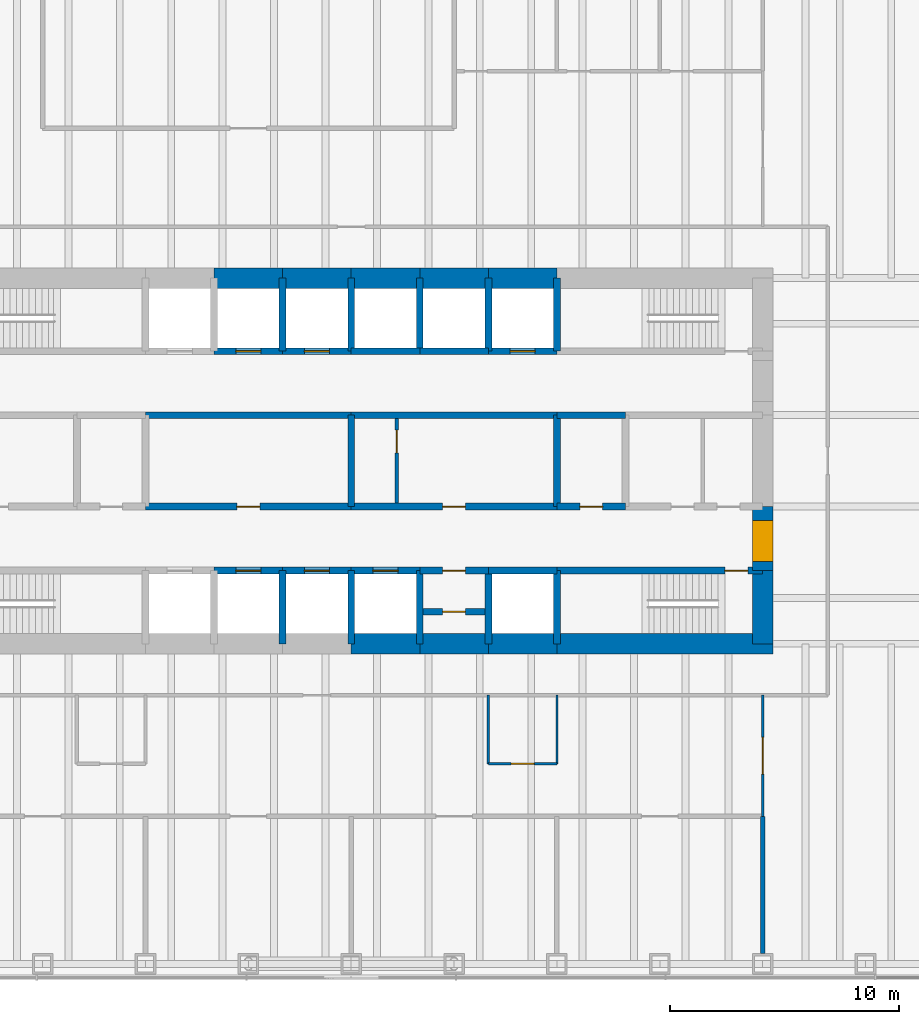
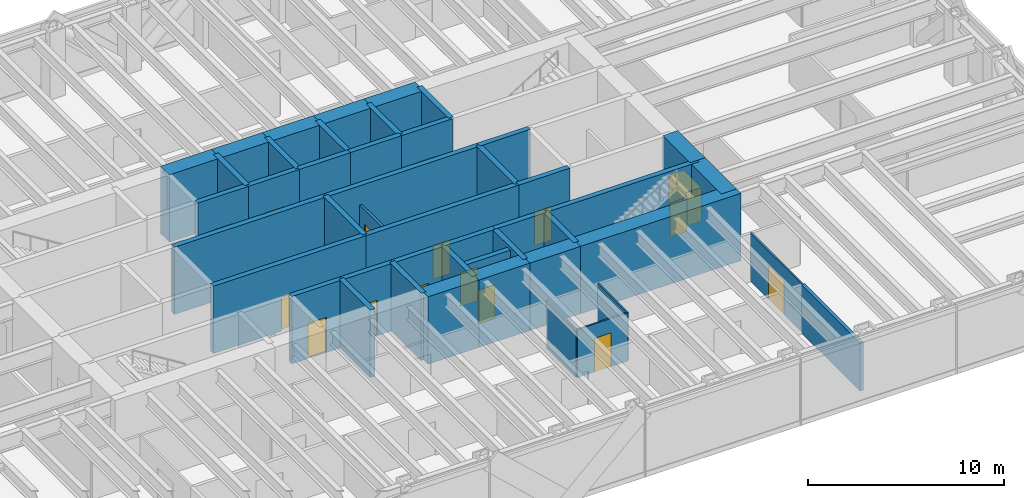
# One storey, part 12 of 15: 47 walls, 16 doors, 16 openings.
"""IFC4 building model written with IfcOpenShell, lengths in metres."""

import ifcopenshell
import ifcopenshell.guid

model = None  # the IFC model being written
_history = None  # IfcOwnerHistory: only IFC2X3 demands one
_inside = {}  # id of a spatial element -> (the spatial element, [elements in it])
_under = {}  # id of a project, library or spatial element -> (it, [spatial elements below it])
_declared = {}  # id of a project -> (the project, [libraries it declares])
_typed = {}  # id of a type object -> (the type object, [elements of that type])
_made_of = {}  # id of a material, layer set ... -> (it, [elements and type objects made of it])


def new_model(schema):
    """Start an empty IFC model of exactly this schema.

    Asked for "IFC4X3", IfcOpenShell would pick the latest addendum, in which some entities
    have other attributes; the version numbers below select the first issue.
    IFC2X3 requires an IfcOwnerHistory on every rooted entity: one is made here for all.
    """
    global model, _history
    if schema == "IFC4X3":
        model = ifcopenshell.file(schema_version=(4, 3, 0, 0))
    else:
        model = ifcopenshell.file(schema=schema)
    _inside.clear()
    _under.clear()
    _declared.clear()
    _typed.clear()
    _made_of.clear()
    _history = None
    if model.schema == "IFC2X3":
        org = make("IfcOrganization", Name="unknown")
        user = make(
            "IfcPersonAndOrganization",
            ThePerson=make("IfcPerson", FamilyName="unknown"),
            TheOrganization=org,
        )
        app = make(
            "IfcApplication",
            ApplicationDeveloper=org,
            Version="unknown",
            ApplicationFullName="unknown",
            ApplicationIdentifier="unknown",
        )
        _history = make(
            "IfcOwnerHistory",
            OwningUser=user,
            OwningApplication=app,
            ChangeAction="ADDED",
            CreationDate=0,
        )
    return model


def make(cls, **values):
    """One entity of the class cls with the attributes given. An attribute that is None is left unset."""
    return model.create_entity(
        cls, **{name: value for name, value in values.items() if value is not None}
    )


def rooted(cls, **values):
    """An entity with a GlobalId (a new one), such as an element, a storey or a relation."""
    return make(cls, GlobalId=ifcopenshell.guid.new(), OwnerHistory=_history, **values)


def si_unit(unit_type, name, prefix=None):
    """IfcSIUnit, for example si_unit("LENGTHUNIT", "METRE", prefix="MILLI")."""
    return make("IfcSIUnit", UnitType=unit_type, Prefix=prefix, Name=name)


def assignment(units):
    """IfcUnitAssignment: the units of a project."""
    return None if units is None else make("IfcUnitAssignment", Units=units)


def point(xyz):
    """IfcCartesianPoint."""
    return None if xyz is None else make("IfcCartesianPoint", Coordinates=xyz)


def direction(xyz):
    """IfcDirection."""
    return None if xyz is None else make("IfcDirection", DirectionRatios=xyz)


def frame(location, z_axis=None, x_axis=None):
    """IfcAxis2Placement3D, a coordinate frame: its origin and axes. An axis left out is left unset."""
    return make(
        "IfcAxis2Placement3D",
        Location=point(location),
        Axis=direction(z_axis),
        RefDirection=direction(x_axis),
    )


def frame_2d(location, x_axis=None):
    """IfcAxis2Placement2D, a coordinate frame in the plane: its origin and x axis."""
    return make(
        "IfcAxis2Placement2D", Location=point(location), RefDirection=direction(x_axis)
    )


def origin():
    """The frame at (0, 0, 0) with its axes left unset."""
    return frame((0.0, 0.0, 0.0))


def place(relative_to, where):
    """IfcLocalPlacement: puts the frame where relative to a parent placement (None: the world)."""
    return make(
        "IfcLocalPlacement", PlacementRelTo=relative_to, RelativePlacement=where
    )


def context(
    kind, dimensions, precision=None, world=None, true_north=None, identifier=None
):
    """IfcGeometricRepresentationContext, for example the 3D "Model" context."""
    return make(
        "IfcGeometricRepresentationContext",
        ContextIdentifier=identifier,
        ContextType=kind,
        CoordinateSpaceDimension=dimensions,
        Precision=precision,
        WorldCoordinateSystem=world,
        TrueNorth=true_north,
    )


def subcontext(parent, identifier, kind, view, scale=None):
    """IfcGeometricRepresentationSubContext, for example "Body" below "Model"."""
    return make(
        "IfcGeometricRepresentationSubContext",
        ContextIdentifier=identifier,
        ContextType=kind,
        ParentContext=parent,
        TargetScale=scale,
        TargetView=view,
    )


def project(units=None, contexts=None):
    """IfcProject with its units and contexts."""
    return rooted(
        "IfcProject",
        Name="project",
        RepresentationContexts=contexts,
        UnitsInContext=assignment(units),
    )


def spatial(cls, under=None, at=None, **own):
    """A site, building, storey or space (cls), placed at a placement, below another one or the project."""
    s = rooted(cls, ObjectPlacement=at, **own)
    if under is not None:
        _under.setdefault(under.id(), (under, []))[1].append(s)
    return s


def profile(cls, at=None, kind="AREA", **sizes):
    """A parametric profile (cls). Its sizes go by their IFC names, for example OverallWidth=200.0."""
    return make(cls, ProfileType=kind, Position=at, **sizes)


def rectangle(**sizes):
    """IfcRectangleProfileDef."""
    return profile("IfcRectangleProfileDef", **sizes)


def extrude(swept, where, along, depth):
    """IfcExtrudedAreaSolid: the profile swept, set in the frame where, extruded along a direction by depth."""
    return make(
        "IfcExtrudedAreaSolid",
        SweptArea=swept,
        Position=where,
        ExtrudedDirection=direction(along),
        Depth=depth,
    )


def shape(context_of_items, identifier, shape_type, items):
    """IfcShapeRepresentation: the items that make up one representation, for example the "Body"."""
    return make(
        "IfcShapeRepresentation",
        ContextOfItems=context_of_items,
        RepresentationIdentifier=identifier,
        RepresentationType=shape_type,
        Items=items,
    )


def material(Name=None, Category=None):
    """IfcMaterial."""
    return make("IfcMaterial", Name=Name, Category=Category)


def layer(
    of_material, thickness, ventilated=None, Name=None, Category=None, Priority=None
):
    """IfcMaterialLayer: one layer of a wall or slab, of a material (None: an air gap)."""
    return make(
        "IfcMaterialLayer",
        Material=of_material,
        LayerThickness=thickness,
        IsVentilated=ventilated,
        Name=Name,
        Category=Category,
        Priority=Priority,
    )


def layer_set(layers, Name=None):
    """IfcMaterialLayerSet."""
    return make("IfcMaterialLayerSet", MaterialLayers=layers, LayerSetName=Name)


def made_of(thing, what):
    """Note that an element or type object is made of a material, layer set ...; save() writes the relation."""
    if what is not None:
        _made_of.setdefault(what.id(), (what, []))[1].append(thing)
    return thing


def type_object(cls, material=None, **own):
    """A type object (cls), such as IfcWallType, which elements share."""
    return made_of(rooted(cls, **own), material)


def element(
    cls,
    number,
    at=None,
    inside=None,
    cuts=None,
    type_object=None,
    material=None,
    context=None,
    identifier="Body",
    shape_type=None,
    held_by="IfcProductDefinitionShape",
    body=None,
    shapes=None,
    **own,
):
    """One element of the class cls, such as IfcWall. Its Tag is "e" and its number.

    at: its placement. inside: the storey or other place that contains it. cuts: it is an
    opening in that element (IfcRelVoidsElement). A single representation is given by context,
    identifier, shape_type and body (its items); several are given by shapes. held_by: the class
    of the entity that holds the representations. save() writes the other relations.
    """
    e = rooted(cls, Tag="e%d" % number, ObjectPlacement=at, **own)
    if body is not None:
        shapes = [shape(context, identifier, shape_type, body)]
    if shapes is not None:
        e.Representation = make(held_by, Representations=shapes)
    if inside is not None:
        _inside.setdefault(inside.id(), (inside, []))[1].append(e)
    if cuts is not None:
        rooted(
            "IfcRelVoidsElement", RelatingBuildingElement=cuts, RelatedOpeningElement=e
        )
    if type_object is not None:
        _typed.setdefault(type_object.id(), (type_object, []))[1].append(e)
    return made_of(e, material)


def fill(opening, filler):
    """IfcRelFillsElement: the door or window that sits in an opening."""
    return rooted(
        "IfcRelFillsElement",
        RelatingOpeningElement=opening,
        RelatedBuildingElement=filler,
    )


def aggregate(whole, parts):
    """IfcRelAggregates: a whole, such as a stair, and the parts it consists of."""
    return rooted("IfcRelAggregates", RelatingObject=whole, RelatedObjects=parts)


def save(model, path):
    """Write the relations noted so far, then the file.

    IfcRelAggregates (storeys below a building ...), IfcRelContainedInSpatialStructure (elements
    in a storey), IfcRelDefinesByType, IfcRelAssociatesMaterial and IfcRelDeclares: one each for
    every whole, place, type object, material and project.
    """
    for whole, parts in _under.values():
        aggregate(whole, parts)
    for where, things in _inside.values():
        rooted(
            "IfcRelContainedInSpatialStructure",
            RelatedElements=things,
            RelatingStructure=where,
        )
    for kind, things in _typed.values():
        rooted("IfcRelDefinesByType", RelatedObjects=things, RelatingType=kind)
    for what, things in _made_of.values():
        rooted("IfcRelAssociatesMaterial", RelatedObjects=things, RelatingMaterial=what)
    for by, libraries in _declared.values():
        rooted("IfcRelDeclares", RelatingContext=by, RelatedDefinitions=libraries)
    model.write(path)


model = new_model("IFC4")

# Units and contexts
model_context = context("Model", 3, precision=1e-05, world=origin(), true_north=direction((0.0, 1.0)))
body_context = subcontext(model_context, "Body", "Model", "MODEL_VIEW")
ifc_project = project(units=[si_unit("LENGTHUNIT", "METRE"), si_unit("AREAUNIT", "SQUARE_METRE"), si_unit("VOLUMEUNIT", "CUBIC_METRE"), si_unit("PLANEANGLEUNIT", "RADIAN"), si_unit("MASSUNIT", "GRAM", prefix="KILO")], contexts=[model_context])

# Site, building, storey
site_placement = place(None, origin())
site = spatial("IfcSite", under=ifc_project, at=site_placement, CompositionType="ELEMENT")
building_placement = place(site_placement, origin())
building = spatial("IfcBuilding", under=site, at=building_placement, Name="Rheinbord Bourse Tower", CompositionType="ELEMENT")
storey_placement = place(building_placement, frame((0.0, 0.0, 155.10009765625)))
storey = spatial("IfcBuildingStorey", under=building, at=storey_placement, Name="L34", CompositionType="ELEMENT", Elevation=155.10009765625)

# Wall
ifc_material_1 = material(Name="Acoustic gypsum board partition", Category="gypsum board")
ifc_layer_1 = layer(ifc_material_1, 0.199951171875)
ifc_layer_set_1 = layer_set([ifc_layer_1], Name="ACOUSTIC PARTITION 200")
wall_type_1 = type_object("IfcWallType", Name="ACOUSTIC PARTITION 200", PredefinedType="PARTITIONING", material=ifc_layer_set_1)
wall_1_placement = place(storey_placement, frame((54.0, 2.449951171875, 0.0), z_axis=(0.0, 0.0, 1.0), x_axis=(0.0, 1.0, 0.0)))
element("IfcWall", 1, at=wall_1_placement, inside=storey, type_object=wall_type_1, Name="Partition L34-30", PredefinedType="PARTITIONING", context=body_context, shape_type="SweptSolid", body=[
    extrude(rectangle(XDim=6.0, YDim=0.199951171875, at=frame_2d((3.0, 0.0))), origin(), (0.0, 0.0, 1.0), 3.0),
])

# Wall, opening, door
ifc_material_2 = material(Name="Concrete C50/60", Category="concrete")
ifc_layer_2 = layer(ifc_material_2, 0.300048828125)
ifc_layer_set_2 = layer_set([ifc_layer_2], Name="CORE INNER WALL 300")
wall_type_2 = type_object("IfcWallType", Name="CORE INNER WALL 300", PredefinedType="SOLIDWALL", material=ifc_layer_set_2)
wall_2_placement = place(storey_placement, frame((30.0, 19.199951171875, 0.0), z_axis=(0.0, 0.0, 1.0), x_axis=(1.0, 0.0, 0.0)))
wall_2 = element("IfcWall", 2, at=wall_2_placement, inside=storey, type_object=wall_type_2, Name="Core wall A3 L34", PredefinedType="SOLIDWALL", context=body_context, shape_type="SweptSolid", body=[
    extrude(rectangle(XDim=3.0, YDim=0.300048828125, at=frame_2d((1.5, 0.0))), origin(), (0.0, 0.0, 1.0), 4.199951171875),
])
opening_1_placement = place(wall_2_placement, frame((0.949951171875, 0.0, 0.0)))
opening_1 = element("IfcOpeningElement", 3, at=opening_1_placement, cuts=wall_2, Name="Opening PB1", PredefinedType="OPENING", context=body_context, shape_type="SweptSolid", body=[
    extrude(rectangle(XDim=1.10009765625, YDim=2.199951171875, at=frame_2d((0.550048828125, 1.10009765625))), frame((0.0, 0.159912109375, 0.0), z_axis=(0.0, -1.0, 0.0), x_axis=(1.0, 0.0, 0.0)), (0.0, 0.0, 1.0), 0.320068359375),
])
ifc_material_3 = material(Name="Steel landing door", Category="steel")
door_type_1 = type_object("IfcDoorType", Name="LIFT LANDING DOOR 1100", OperationType="DOUBLE_DOOR_SLIDING", PredefinedType="USERDEFINED", material=ifc_material_3)
door_1_placement = place(opening_1_placement, origin())
door_1 = element("IfcDoor", 4, at=door_1_placement, inside=storey, type_object=door_type_1, Name="Lift landing door PB1 L34", ObjectType="LIFT LANDING DOOR", OperationType="DOUBLE_DOOR_SLIDING", OverallHeight=2.199951171875, OverallWidth=1.10009765625, PredefinedType="USERDEFINED", context=body_context, shape_type="SweptSolid", body=[
    extrude(rectangle(XDim=1.10009765625, YDim=2.199951171875, at=frame_2d((0.550048828125, 1.10009765625))), frame((0.0, 0.02490234375, 0.0), z_axis=(0.0, -1.0, 0.0), x_axis=(1.0, 0.0, 0.0)), (0.0, 0.0, 1.0), 0.050048828125),
])
fill(opening_1, door_1)

wall_3_placement = place(storey_placement, frame((33.0, 19.199951171875, 0.0), z_axis=(0.0, 0.0, 1.0), x_axis=(1.0, 0.0, 0.0)))
wall_3 = element("IfcWall", 5, at=wall_3_placement, inside=storey, type_object=wall_type_2, Name="Core wall A4 L34", PredefinedType="SOLIDWALL", context=body_context, shape_type="SweptSolid", body=[
    extrude(rectangle(XDim=3.0, YDim=0.300048828125, at=frame_2d((1.5, 0.0))), origin(), (0.0, 0.0, 1.0), 4.199951171875),
])
opening_2_placement = place(wall_3_placement, frame((0.949951171875, 0.0, 0.0)))
opening_2 = element("IfcOpeningElement", 6, at=opening_2_placement, cuts=wall_3, Name="Opening PB2", PredefinedType="OPENING", context=body_context, shape_type="SweptSolid", body=[
    extrude(rectangle(XDim=1.10009765625, YDim=2.199951171875, at=frame_2d((0.550048828125, 1.10009765625))), frame((0.0, 0.159912109375, 0.0), z_axis=(0.0, -1.0, 0.0), x_axis=(1.0, 0.0, 0.0)), (0.0, 0.0, 1.0), 0.320068359375),
])
door_2_placement = place(opening_2_placement, origin())
door_2 = element("IfcDoor", 7, at=door_2_placement, inside=storey, type_object=door_type_1, Name="Lift landing door PB2 L34", ObjectType="LIFT LANDING DOOR", OperationType="DOUBLE_DOOR_SLIDING", OverallHeight=2.199951171875, OverallWidth=1.10009765625, PredefinedType="USERDEFINED", context=body_context, shape_type="SweptSolid", body=[
    extrude(rectangle(XDim=1.10009765625, YDim=2.199951171875, at=frame_2d((0.550048828125, 1.10009765625))), frame((0.0, 0.02490234375, 0.0), z_axis=(0.0, -1.0, 0.0), x_axis=(1.0, 0.0, 0.0)), (0.0, 0.0, 1.0), 0.050048828125),
])
fill(opening_2, door_2)

wall_4_placement = place(storey_placement, frame((36.0, 19.199951171875, 0.0), z_axis=(0.0, 0.0, 1.0), x_axis=(1.0, 0.0, 0.0)))
wall_4 = element("IfcWall", 8, at=wall_4_placement, inside=storey, type_object=wall_type_2, Name="Core wall A5 L34", PredefinedType="SOLIDWALL", context=body_context, shape_type="SweptSolid", body=[
    extrude(rectangle(XDim=3.0, YDim=0.300048828125, at=frame_2d((1.5, 0.0))), origin(), (0.0, 0.0, 1.0), 4.199951171875),
])
opening_3_placement = place(wall_4_placement, frame((0.949951171875, 0.0, 0.0)))
opening_3 = element("IfcOpeningElement", 9, at=opening_3_placement, cuts=wall_4, Name="Opening PB3", PredefinedType="OPENING", context=body_context, shape_type="SweptSolid", body=[
    extrude(rectangle(XDim=1.10009765625, YDim=2.199951171875, at=frame_2d((0.550048828125, 1.10009765625))), frame((0.0, 0.159912109375, 0.0), z_axis=(0.0, -1.0, 0.0), x_axis=(1.0, 0.0, 0.0)), (0.0, 0.0, 1.0), 0.320068359375),
])
door_3_placement = place(opening_3_placement, origin())
door_3 = element("IfcDoor", 10, at=door_3_placement, inside=storey, type_object=door_type_1, Name="Lift landing door PB3 L34", ObjectType="LIFT LANDING DOOR", OperationType="DOUBLE_DOOR_SLIDING", OverallHeight=2.199951171875, OverallWidth=1.10009765625, PredefinedType="USERDEFINED", context=body_context, shape_type="SweptSolid", body=[
    extrude(rectangle(XDim=1.10009765625, YDim=2.199951171875, at=frame_2d((0.550048828125, 1.10009765625))), frame((0.0, 0.02490234375, 0.0), z_axis=(0.0, -1.0, 0.0), x_axis=(1.0, 0.0, 0.0)), (0.0, 0.0, 1.0), 0.050048828125),
])
fill(opening_3, door_3)

wall_5_placement = place(storey_placement, frame((39.0, 19.199951171875, 0.0), z_axis=(0.0, 0.0, 1.0), x_axis=(1.0, 0.0, 0.0)))
wall_5 = element("IfcWall", 11, at=wall_5_placement, inside=storey, type_object=wall_type_2, Name="Core wall A6 L34", PredefinedType="SOLIDWALL", context=body_context, shape_type="SweptSolid", body=[
    extrude(rectangle(XDim=3.0, YDim=0.300048828125, at=frame_2d((1.5, 0.0))), origin(), (0.0, 0.0, 1.0), 4.199951171875),
])
opening_4_placement = place(wall_5_placement, frame((1.0, 0.0, 0.0)))
opening_4 = element("IfcOpeningElement", 12, at=opening_4_placement, cuts=wall_5, Name="Opening 34R8", PredefinedType="OPENING", context=body_context, shape_type="SweptSolid", body=[
    extrude(rectangle(XDim=1.0, YDim=2.10009765625, at=frame_2d((0.5, 1.050048828125))), frame((0.0, 0.159912109375, 0.0), z_axis=(0.0, -1.0, 0.0), x_axis=(1.0, 0.0, 0.0)), (0.0, 0.0, 1.0), 0.320068359375),
])
ifc_material_4 = material(Name="Steel door", Category="steel")
door_type_2 = type_object("IfcDoorType", Name="DOOR 1000 EI30", OperationType="SINGLE_SWING_LEFT", PredefinedType="DOOR", material=ifc_material_4)
door_4_placement = place(opening_4_placement, origin())
door_4 = element("IfcDoor", 13, at=door_4_placement, inside=storey, type_object=door_type_2, Name="Pantry door L34", OperationType="SINGLE_SWING_LEFT", OverallHeight=2.10009765625, OverallWidth=1.0, PredefinedType="DOOR", context=body_context, shape_type="SweptSolid", body=[
    extrude(rectangle(XDim=1.0, YDim=2.10009765625, at=frame_2d((0.5, 1.050048828125))), frame((0.0, 0.02490234375, 0.0), z_axis=(0.0, -1.0, 0.0), x_axis=(1.0, 0.0, 0.0)), (0.0, 0.0, 1.0), 0.050048828125),
])
fill(opening_4, door_4)

# Wall
wall_6_placement = place(storey_placement, frame((42.0, 19.199951171875, 0.0), z_axis=(0.0, 0.0, 1.0), x_axis=(1.0, 0.0, 0.0)))
element("IfcWall", 14, at=wall_6_placement, inside=storey, type_object=wall_type_2, Name="Core wall A7 L34", PredefinedType="SOLIDWALL", context=body_context, shape_type="SweptSolid", body=[
    extrude(rectangle(XDim=3.0, YDim=0.300048828125, at=frame_2d((1.5, 0.0))), origin(), (0.0, 0.0, 1.0), 4.199951171875),
])

# Wall, opening, door
wall_7_placement = place(storey_placement, frame((45.0, 19.199951171875, 0.0), z_axis=(0.0, 0.0, 1.0), x_axis=(1.0, 0.0, 0.0)))
wall_7 = element("IfcWall", 15, at=wall_7_placement, inside=storey, type_object=wall_type_2, Name="Core wall A8 L34", PredefinedType="SOLIDWALL", context=body_context, shape_type="SweptSolid", body=[
    extrude(rectangle(XDim=9.0, YDim=0.300048828125, at=frame_2d((4.5, 0.0))), origin(), (0.0, 0.0, 1.0), 4.199951171875),
])
opening_5_placement = place(wall_7_placement, frame((7.35009765625, 0.0, 0.0)))
opening_5 = element("IfcOpeningElement", 16, at=opening_5_placement, cuts=wall_7, Name="Opening 3430", PredefinedType="OPENING", context=body_context, shape_type="SweptSolid", body=[
    extrude(rectangle(XDim=1.0, YDim=2.10009765625, at=frame_2d((0.5, 1.050048828125))), frame((0.0, 0.159912109375, 0.0), z_axis=(0.0, -1.0, 0.0), x_axis=(1.0, 0.0, 0.0)), (0.0, 0.0, 1.0), 0.320068359375),
])
door_5_placement = place(opening_5_placement, origin())
door_5 = element("IfcDoor", 17, at=door_5_placement, inside=storey, type_object=door_type_2, Name="Stair door ST3 L34", OperationType="SINGLE_SWING_RIGHT", OverallHeight=2.10009765625, OverallWidth=1.0, PredefinedType="DOOR", context=body_context, shape_type="SweptSolid", body=[
    extrude(rectangle(XDim=1.0, YDim=2.10009765625, at=frame_2d((0.5, 1.050048828125))), frame((0.0, 0.02490234375, 0.0), z_axis=(0.0, -1.0, 0.0), x_axis=(1.0, 0.0, 0.0)), (0.0, 0.0, 1.0), 0.050048828125),
])
fill(opening_5, door_5)

wall_8_placement = place(storey_placement, frame((30.0, 28.800048828125, 0.0), z_axis=(0.0, 0.0, 1.0), x_axis=(1.0, 0.0, 0.0)))
wall_8 = element("IfcWall", 18, at=wall_8_placement, inside=storey, type_object=wall_type_2, Name="Core wall B3 L34", PredefinedType="SOLIDWALL", context=body_context, shape_type="SweptSolid", body=[
    extrude(rectangle(XDim=3.0, YDim=0.300048828125, at=frame_2d((1.5, 0.0))), origin(), (0.0, 0.0, 1.0), 4.199951171875),
])
opening_6_placement = place(wall_8_placement, frame((0.949951171875, 0.0, 0.0)))
opening_6 = element("IfcOpeningElement", 19, at=opening_6_placement, cuts=wall_8, Name="Opening PB4", PredefinedType="OPENING", context=body_context, shape_type="SweptSolid", body=[
    extrude(rectangle(XDim=1.10009765625, YDim=2.199951171875, at=frame_2d((0.550048828125, 1.10009765625))), frame((0.0, 0.159912109375, 0.0), z_axis=(0.0, -1.0, 0.0), x_axis=(1.0, 0.0, 0.0)), (0.0, 0.0, 1.0), 0.320068359375),
])
door_6_placement = place(opening_6_placement, origin())
door_6 = element("IfcDoor", 20, at=door_6_placement, inside=storey, type_object=door_type_1, Name="Lift landing door PB4 L34", ObjectType="LIFT LANDING DOOR", OperationType="DOUBLE_DOOR_SLIDING", OverallHeight=2.199951171875, OverallWidth=1.10009765625, PredefinedType="USERDEFINED", context=body_context, shape_type="SweptSolid", body=[
    extrude(rectangle(XDim=1.10009765625, YDim=2.199951171875, at=frame_2d((0.550048828125, 1.10009765625))), frame((0.0, 0.02490234375, 0.0), z_axis=(0.0, -1.0, 0.0), x_axis=(1.0, 0.0, 0.0)), (0.0, 0.0, 1.0), 0.050048828125),
])
fill(opening_6, door_6)

wall_9_placement = place(storey_placement, frame((33.0, 28.800048828125, 0.0), z_axis=(0.0, 0.0, 1.0), x_axis=(1.0, 0.0, 0.0)))
wall_9 = element("IfcWall", 21, at=wall_9_placement, inside=storey, type_object=wall_type_2, Name="Core wall B4 L34", PredefinedType="SOLIDWALL", context=body_context, shape_type="SweptSolid", body=[
    extrude(rectangle(XDim=3.0, YDim=0.300048828125, at=frame_2d((1.5, 0.0))), origin(), (0.0, 0.0, 1.0), 4.199951171875),
])
opening_7_placement = place(wall_9_placement, frame((0.949951171875, 0.0, 0.0)))
opening_7 = element("IfcOpeningElement", 22, at=opening_7_placement, cuts=wall_9, Name="Opening PB5", PredefinedType="OPENING", context=body_context, shape_type="SweptSolid", body=[
    extrude(rectangle(XDim=1.10009765625, YDim=2.199951171875, at=frame_2d((0.550048828125, 1.10009765625))), frame((0.0, 0.159912109375, 0.0), z_axis=(0.0, -1.0, 0.0), x_axis=(1.0, 0.0, 0.0)), (0.0, 0.0, 1.0), 0.320068359375),
])
door_7_placement = place(opening_7_placement, origin())
door_7 = element("IfcDoor", 23, at=door_7_placement, inside=storey, type_object=door_type_1, Name="Lift landing door PB5 L34", ObjectType="LIFT LANDING DOOR", OperationType="DOUBLE_DOOR_SLIDING", OverallHeight=2.199951171875, OverallWidth=1.10009765625, PredefinedType="USERDEFINED", context=body_context, shape_type="SweptSolid", body=[
    extrude(rectangle(XDim=1.10009765625, YDim=2.199951171875, at=frame_2d((0.550048828125, 1.10009765625))), frame((0.0, 0.02490234375, 0.0), z_axis=(0.0, -1.0, 0.0), x_axis=(1.0, 0.0, 0.0)), (0.0, 0.0, 1.0), 0.050048828125),
])
fill(opening_7, door_7)

# Walls
for number, where, z_axis, x_axis, name in (
    (24, (36.0, 28.800048828125, 0.0), (0.0, 0.0, 1.0), (1.0, 0.0, 0.0), "Core wall B5 L34"),
    (25, (39.0, 28.800048828125, 0.0), (0.0, 0.0, 1.0), (1.0, 0.0, 0.0), "Core wall B6 L34"),
):
    element("IfcWall", number, at=place(storey_placement, frame(where, z_axis=z_axis, x_axis=x_axis)), inside=storey, type_object=wall_type_2, Name=name, PredefinedType="SOLIDWALL", context=body_context, shape_type="SweptSolid", body=[
        extrude(rectangle(XDim=3.0, YDim=0.300048828125, at=frame_2d((1.5, 0.0))), origin(), (0.0, 0.0, 1.0), 4.199951171875),
    ])

# Wall, opening, door
wall_10_placement = place(storey_placement, frame((42.0, 28.800048828125, 0.0), z_axis=(0.0, 0.0, 1.0), x_axis=(1.0, 0.0, 0.0)))
wall_10 = element("IfcWall", 26, at=wall_10_placement, inside=storey, type_object=wall_type_2, Name="Core wall B7 L34", PredefinedType="SOLIDWALL", context=body_context, shape_type="SweptSolid", body=[
    extrude(rectangle(XDim=3.0, YDim=0.300048828125, at=frame_2d((1.5, 0.0))), origin(), (0.0, 0.0, 1.0), 4.199951171875),
])
opening_8_placement = place(wall_10_placement, frame((0.949951171875, 0.0, 0.0)))
opening_8 = element("IfcOpeningElement", 27, at=opening_8_placement, cuts=wall_10, Name="Opening FL2", PredefinedType="OPENING", context=body_context, shape_type="SweptSolid", body=[
    extrude(rectangle(XDim=1.10009765625, YDim=2.199951171875, at=frame_2d((0.550048828125, 1.10009765625))), frame((0.0, 0.159912109375, 0.0), z_axis=(0.0, -1.0, 0.0), x_axis=(1.0, 0.0, 0.0)), (0.0, 0.0, 1.0), 0.320068359375),
])
door_8_placement = place(opening_8_placement, origin())
door_8 = element("IfcDoor", 28, at=door_8_placement, inside=storey, type_object=door_type_1, Name="Lift landing door FL2 L34", ObjectType="LIFT LANDING DOOR", OperationType="DOUBLE_DOOR_SLIDING", OverallHeight=2.199951171875, OverallWidth=1.10009765625, PredefinedType="USERDEFINED", context=body_context, shape_type="SweptSolid", body=[
    extrude(rectangle(XDim=1.10009765625, YDim=2.199951171875, at=frame_2d((0.550048828125, 1.10009765625))), frame((0.0, 0.02490234375, 0.0), z_axis=(0.0, -1.0, 0.0), x_axis=(1.0, 0.0, 0.0)), (0.0, 0.0, 1.0), 0.050048828125),
])
fill(opening_8, door_8)

wall_11_placement = place(storey_placement, frame((27.0, 22.0, 0.0), z_axis=(0.0, 0.0, 1.0), x_axis=(1.0, 0.0, 0.0)))
wall_11 = element("IfcWall", 29, at=wall_11_placement, inside=storey, type_object=wall_type_2, Name="Core wall C3 L34", PredefinedType="SOLIDWALL", context=body_context, shape_type="SweptSolid", body=[
    extrude(rectangle(XDim=9.0, YDim=0.300048828125, at=frame_2d((4.5, 0.0))), origin(), (0.0, 0.0, 1.0), 4.199951171875),
])
opening_9_placement = place(wall_11_placement, frame((4.0, 0.0, 0.0)))
opening_9 = element("IfcOpeningElement", 30, at=opening_9_placement, cuts=wall_11, Name="Opening 34R3", PredefinedType="OPENING", context=body_context, shape_type="SweptSolid", body=[
    extrude(rectangle(XDim=1.0, YDim=2.10009765625, at=frame_2d((0.5, 1.050048828125))), frame((0.0, 0.159912109375, 0.0), z_axis=(0.0, -1.0, 0.0), x_axis=(1.0, 0.0, 0.0)), (0.0, 0.0, 1.0), 0.320068359375),
])
door_9_placement = place(opening_9_placement, origin())
door_9 = element("IfcDoor", 31, at=door_9_placement, inside=storey, type_object=door_type_2, Name="Riser door L34", OperationType="SINGLE_SWING_LEFT", OverallHeight=2.10009765625, OverallWidth=1.0, PredefinedType="DOOR", context=body_context, shape_type="SweptSolid", body=[
    extrude(rectangle(XDim=1.0, YDim=2.10009765625, at=frame_2d((0.5, 1.050048828125))), frame((0.0, 0.02490234375, 0.0), z_axis=(0.0, -1.0, 0.0), x_axis=(1.0, 0.0, 0.0)), (0.0, 0.0, 1.0), 0.050048828125),
])
fill(opening_9, door_9)

wall_12_placement = place(storey_placement, frame((36.0, 22.0, 0.0), z_axis=(0.0, 0.0, 1.0), x_axis=(1.0, 0.0, 0.0)))
wall_12 = element("IfcWall", 32, at=wall_12_placement, inside=storey, type_object=wall_type_2, Name="Core wall C4 L34", PredefinedType="SOLIDWALL", context=body_context, shape_type="SweptSolid", body=[
    extrude(rectangle(XDim=9.0, YDim=0.300048828125, at=frame_2d((4.5, 0.0))), origin(), (0.0, 0.0, 1.0), 4.199951171875),
])
opening_10_placement = place(wall_12_placement, frame((4.0, 0.0, 0.0)))
opening_10 = element("IfcOpeningElement", 33, at=opening_10_placement, cuts=wall_12, Name="Opening 34R4", PredefinedType="OPENING", context=body_context, shape_type="SweptSolid", body=[
    extrude(rectangle(XDim=1.0, YDim=2.10009765625, at=frame_2d((0.5, 1.050048828125))), frame((0.0, 0.159912109375, 0.0), z_axis=(0.0, -1.0, 0.0), x_axis=(1.0, 0.0, 0.0)), (0.0, 0.0, 1.0), 0.320068359375),
])
door_10_placement = place(opening_10_placement, origin())
door_10 = element("IfcDoor", 34, at=door_10_placement, inside=storey, type_object=door_type_2, Name="Staff locker room door L34", OperationType="SINGLE_SWING_LEFT", OverallHeight=2.10009765625, OverallWidth=1.0, PredefinedType="DOOR", context=body_context, shape_type="SweptSolid", body=[
    extrude(rectangle(XDim=1.0, YDim=2.10009765625, at=frame_2d((0.5, 1.050048828125))), frame((0.0, 0.02490234375, 0.0), z_axis=(0.0, -1.0, 0.0), x_axis=(1.0, 0.0, 0.0)), (0.0, 0.0, 1.0), 0.050048828125),
])
fill(opening_10, door_10)

wall_13_placement = place(storey_placement, frame((45.0, 22.0, 0.0), z_axis=(0.0, 0.0, 1.0), x_axis=(1.0, 0.0, 0.0)))
wall_13 = element("IfcWall", 35, at=wall_13_placement, inside=storey, type_object=wall_type_2, Name="Core wall C5 L34", PredefinedType="SOLIDWALL", context=body_context, shape_type="SweptSolid", body=[
    extrude(rectangle(XDim=3.0, YDim=0.300048828125, at=frame_2d((1.5, 0.0))), origin(), (0.0, 0.0, 1.0), 4.199951171875),
])
opening_11_placement = place(wall_13_placement, frame((1.0, 0.0, 0.0)))
opening_11 = element("IfcOpeningElement", 36, at=opening_11_placement, cuts=wall_13, Name="Opening 34R5", PredefinedType="OPENING", context=body_context, shape_type="SweptSolid", body=[
    extrude(rectangle(XDim=1.0, YDim=2.10009765625, at=frame_2d((0.5, 1.050048828125))), frame((0.0, 0.159912109375, 0.0), z_axis=(0.0, -1.0, 0.0), x_axis=(1.0, 0.0, 0.0)), (0.0, 0.0, 1.0), 0.320068359375),
])
ifc_material_5 = material(Name="Timber door", Category="wood")
door_type_3 = type_object("IfcDoorType", Name="DOOR 1000 WC", OperationType="SINGLE_SWING_LEFT", PredefinedType="DOOR", material=ifc_material_5)
door_11_placement = place(opening_11_placement, origin())
door_11 = element("IfcDoor", 37, at=door_11_placement, inside=storey, type_object=door_type_3, Name="Accessible WC door L34", OperationType="SINGLE_SWING_LEFT", OverallHeight=2.10009765625, OverallWidth=1.0, PredefinedType="DOOR", context=body_context, shape_type="SweptSolid", body=[
    extrude(rectangle(XDim=1.0, YDim=2.10009765625, at=frame_2d((0.5, 1.050048828125))), frame((0.0, 0.02490234375, 0.0), z_axis=(0.0, -1.0, 0.0), x_axis=(1.0, 0.0, 0.0)), (0.0, 0.0, 1.0), 0.050048828125),
])
fill(opening_11, door_11)

# Walls
for number, where, z_axis, x_axis, name in (
    (38, (27.0, 26.0, 0.0), (0.0, 0.0, 1.0), (1.0, 0.0, 0.0), "Core wall D3 L34"),
    (39, (36.0, 26.0, 0.0), (0.0, 0.0, 1.0), (1.0, 0.0, 0.0), "Core wall D4 L34"),
):
    element("IfcWall", number, at=place(storey_placement, frame(where, z_axis=z_axis, x_axis=x_axis)), inside=storey, type_object=wall_type_2, Name=name, PredefinedType="SOLIDWALL", context=body_context, shape_type="SweptSolid", body=[
        extrude(rectangle(XDim=9.0, YDim=0.300048828125, at=frame_2d((4.5, 0.0))), origin(), (0.0, 0.0, 1.0), 4.199951171875),
    ])
wall_14_placement = place(storey_placement, frame((45.0, 26.0, 0.0), z_axis=(0.0, 0.0, 1.0), x_axis=(1.0, 0.0, 0.0)))
element("IfcWall", 40, at=wall_14_placement, inside=storey, type_object=wall_type_2, Name="Core wall D5 L34", PredefinedType="SOLIDWALL", context=body_context, shape_type="SweptSolid", body=[
    extrude(rectangle(XDim=3.0, YDim=0.300048828125, at=frame_2d((1.5, 0.0))), origin(), (0.0, 0.0, 1.0), 4.199951171875),
])
for number, where, z_axis, x_axis, name in (
    (41, (33.0, 16.0, 0.0), (0.0, 0.0, 1.0), (0.0, 1.0, 0.0), "Core wall SX33 L34"),
    (42, (33.0, 28.800048828125, 0.0), (0.0, 0.0, 1.0), (0.0, 1.0, 0.0), "Core wall NX33 L34"),
    (43, (36.0, 16.0, 0.0), (0.0, 0.0, 1.0), (0.0, 1.0, 0.0), "Core wall SX36 L34"),
    (44, (36.0, 28.800048828125, 0.0), (0.0, 0.0, 1.0), (0.0, 1.0, 0.0), "Core wall NX36 L34"),
    (45, (39.0, 16.0, 0.0), (0.0, 0.0, 1.0), (0.0, 1.0, 0.0), "Core wall SX39 L34"),
    (46, (39.0, 28.800048828125, 0.0), (0.0, 0.0, 1.0), (0.0, 1.0, 0.0), "Core wall NX39 L34"),
    (47, (42.0, 16.0, 0.0), (0.0, 0.0, 1.0), (0.0, 1.0, 0.0), "Core wall SX42 L34"),
    (48, (42.0, 28.800048828125, 0.0), (0.0, 0.0, 1.0), (0.0, 1.0, 0.0), "Core wall NX42 L34"),
    (49, (45.0, 16.0, 0.0), (0.0, 0.0, 1.0), (0.0, 1.0, 0.0), "Core wall SX45 L34"),
    (50, (45.0, 28.800048828125, 0.0), (0.0, 0.0, 1.0), (0.0, 1.0, 0.0), "Core wall NX45 L34"),
):
    element("IfcWall", number, at=place(storey_placement, frame(where, z_axis=z_axis, x_axis=x_axis)), inside=storey, type_object=wall_type_2, Name=name, PredefinedType="SOLIDWALL", context=body_context, shape_type="SweptSolid", body=[
        extrude(rectangle(XDim=3.199951171875, YDim=0.300048828125, at=frame_2d((1.60009765625, 0.0))), origin(), (0.0, 0.0, 1.0), 4.199951171875),
    ])
for number, where, z_axis, x_axis, name in (
    (51, (36.0, 22.0, 0.0), (0.0, 0.0, 1.0), (0.0, 1.0, 0.0), "Core wall MX36 L34"),
    (52, (45.0, 22.0, 0.0), (0.0, 0.0, 1.0), (0.0, 1.0, 0.0), "Core wall MX45 L34"),
):
    element("IfcWall", number, at=place(storey_placement, frame(where, z_axis=z_axis, x_axis=x_axis)), inside=storey, type_object=wall_type_2, Name=name, PredefinedType="SOLIDWALL", context=body_context, shape_type="SweptSolid", body=[
        extrude(rectangle(XDim=4.0, YDim=0.300048828125, at=frame_2d((2.0, 0.0))), origin(), (0.0, 0.0, 1.0), 4.199951171875),
    ])

# Wall, opening, door
wall_15_placement = place(storey_placement, frame((39.14990234375, 17.39990234375, 0.0), z_axis=(0.0, 0.0, 1.0), x_axis=(1.0, 0.0, 0.0)))
wall_15 = element("IfcWall", 53, at=wall_15_placement, inside=storey, type_object=wall_type_2, Name="Core riser wall L34-6", PredefinedType="SOLIDWALL", context=body_context, shape_type="SweptSolid", body=[
    extrude(rectangle(XDim=2.7001953125, YDim=0.300048828125, at=frame_2d((1.35009765625, 0.0))), origin(), (0.0, 0.0, 1.0), 4.039794921875),
])
opening_12_placement = place(wall_15_placement, frame((0.85009765625, 0.0, 0.0)))
opening_12 = element("IfcOpeningElement", 54, at=opening_12_placement, cuts=wall_15, Name="Opening 34R12", PredefinedType="OPENING", context=body_context, shape_type="SweptSolid", body=[
    extrude(rectangle(XDim=1.0, YDim=2.10009765625, at=frame_2d((0.5, 1.050048828125))), frame((0.0, 0.159912109375, 0.0), z_axis=(0.0, -1.0, 0.0), x_axis=(1.0, 0.0, 0.0)), (0.0, 0.0, 1.0), 0.320068359375),
])
door_12_placement = place(opening_12_placement, origin())
door_12 = element("IfcDoor", 55, at=door_12_placement, inside=storey, type_object=door_type_2, Name="Comms riser door L34", OperationType="SINGLE_SWING_LEFT", OverallHeight=2.10009765625, OverallWidth=1.0, PredefinedType="DOOR", context=body_context, shape_type="SweptSolid", body=[
    extrude(rectangle(XDim=1.0, YDim=2.10009765625, at=frame_2d((0.5, 1.050048828125))), frame((0.0, 0.02490234375, 0.0), z_axis=(0.0, -1.0, 0.0), x_axis=(1.0, 0.0, 0.0)), (0.0, 0.0, 1.0), 0.050048828125),
])
fill(opening_12, door_12)

ifc_material_6 = material(Name="Gypsum board fire partition", Category="gypsum board")
ifc_layer_3 = layer(ifc_material_6, 0.14990234375)
ifc_layer_set_3 = layer_set([ifc_layer_3], Name="CORE PARTITION 150 EI30")
wall_type_3 = type_object("IfcWallType", Name="CORE PARTITION 150 EI30", PredefinedType="PARTITIONING", material=ifc_layer_set_3)
wall_16_placement = place(storey_placement, frame((38.0, 22.14990234375, 0.0), z_axis=(0.0, 0.0, 1.0), x_axis=(0.0, 1.0, 0.0)))
wall_16 = element("IfcWall", 56, at=wall_16_placement, inside=storey, type_object=wall_type_3, Name="Core partition L34-1", PredefinedType="PARTITIONING", context=body_context, shape_type="SweptSolid", body=[
    extrude(rectangle(XDim=3.7001953125, YDim=0.14990234375, at=frame_2d((1.85009765625, 0.0))), origin(), (0.0, 0.0, 1.0), 3.0),
])
opening_13_placement = place(wall_16_placement, frame((2.199951171875, 0.0, 0.0)))
opening_13 = element("IfcOpeningElement", 57, at=opening_13_placement, cuts=wall_16, Name="Opening 34R7", PredefinedType="OPENING", context=body_context, shape_type="SweptSolid", body=[
    extrude(rectangle(XDim=1.0, YDim=2.10009765625, at=frame_2d((0.5, 1.050048828125))), frame((0.0, 0.0849609375, 0.0), z_axis=(0.0, -1.0, 0.0), x_axis=(1.0, 0.0, 0.0)), (0.0, 0.0, 1.0), 0.169921875),
])
door_13_placement = place(opening_13_placement, origin())
door_13 = element("IfcDoor", 58, at=door_13_placement, inside=storey, type_object=door_type_2, Name="Staff shower door L34", OperationType="SINGLE_SWING_RIGHT", OverallHeight=2.10009765625, OverallWidth=1.0, PredefinedType="DOOR", context=body_context, shape_type="SweptSolid", body=[
    extrude(rectangle(XDim=1.0, YDim=2.10009765625, at=frame_2d((0.5, 1.050048828125))), frame((0.0, 0.02490234375, 0.0), z_axis=(0.0, -1.0, 0.0), x_axis=(1.0, 0.0, 0.0)), (0.0, 0.0, 1.0), 0.050048828125),
])
fill(opening_13, door_13)

# Walls
ifc_material_7 = material(Name="Concrete C50/60", Category="concrete")
ifc_layer_4 = layer(ifc_material_7, 0.89990234375)
ifc_layer_set_4 = layer_set([ifc_layer_4], Name="CORE WALL 900")
wall_type_4 = type_object("IfcWallType", Name="CORE WALL 900", PredefinedType="SHEAR", material=ifc_layer_set_4)
for number, where, z_axis, x_axis, name in (
    (59, (36.0, 16.0, 0.0), (0.0, 0.0, 1.0), (1.0, 0.0, 0.0), "Core wall S5 L34"),
    (60, (39.0, 16.0, 0.0), (0.0, 0.0, 1.0), (1.0, 0.0, 0.0), "Core wall S6 L34"),
    (61, (42.0, 16.0, 0.0), (0.0, 0.0, 1.0), (1.0, 0.0, 0.0), "Core wall S7 L34"),
):
    element("IfcWall", number, at=place(storey_placement, frame(where, z_axis=z_axis, x_axis=x_axis)), inside=storey, type_object=wall_type_4, Name=name, PredefinedType="SHEAR", context=body_context, shape_type="SweptSolid", body=[
        extrude(rectangle(XDim=3.0, YDim=0.89990234375, at=frame_2d((1.5, 0.0))), origin(), (0.0, 0.0, 1.0), 4.199951171875),
    ])
wall_17_placement = place(storey_placement, frame((45.0, 16.0, 0.0), z_axis=(0.0, 0.0, 1.0), x_axis=(1.0, 0.0, 0.0)))
element("IfcWall", 62, at=wall_17_placement, inside=storey, type_object=wall_type_4, Name="Core wall S8 L34", PredefinedType="SHEAR", context=body_context, shape_type="SweptSolid", body=[
    extrude(rectangle(XDim=9.449951171875, YDim=0.89990234375, at=frame_2d((4.72509765625, 0.0))), origin(), (0.0, 0.0, 1.0), 4.199951171875),
])
for number, where, z_axis, x_axis, name in (
    (63, (45.0, 32.0, 0.0), (0.0, 0.0, 1.0), (-1.0, 0.0, 0.0), "Core wall N2 L34"),
    (64, (42.0, 32.0, 0.0), (0.0, 0.0, 1.0), (-1.0, 0.0, 0.0), "Core wall N3 L34"),
    (65, (39.0, 32.0, 0.0), (0.0, 0.0, 1.0), (-1.0, 0.0, 0.0), "Core wall N4 L34"),
    (66, (36.0, 32.0, 0.0), (0.0, 0.0, 1.0), (-1.0, 0.0, 0.0), "Core wall N5 L34"),
    (67, (33.0, 32.0, 0.0), (0.0, 0.0, 1.0), (-1.0, 0.0, 0.0), "Core wall N6 L34"),
):
    element("IfcWall", number, at=place(storey_placement, frame(where, z_axis=z_axis, x_axis=x_axis)), inside=storey, type_object=wall_type_4, Name=name, PredefinedType="SHEAR", context=body_context, shape_type="SweptSolid", body=[
        extrude(rectangle(XDim=3.0, YDim=0.89990234375, at=frame_2d((1.5, 0.0))), origin(), (0.0, 0.0, 1.0), 4.199951171875),
    ])
wall_18_placement = place(storey_placement, frame((54.0, 16.0, 0.0), z_axis=(0.0, 0.0, 1.0), x_axis=(0.0, 1.0, 0.0)))
element("IfcWall", 68, at=wall_18_placement, inside=storey, type_object=wall_type_4, Name="Core wall E1 L34", PredefinedType="SHEAR", context=body_context, shape_type="SweptSolid", body=[
    extrude(rectangle(XDim=3.199951171875, YDim=0.89990234375, at=frame_2d((1.60009765625, 0.0))), origin(), (0.0, 0.0, 1.0), 4.199951171875),
])

# Wall, opening, door
wall_19_placement = place(storey_placement, frame((54.0, 19.199951171875, 0.0), z_axis=(0.0, 0.0, 1.0), x_axis=(0.0, 1.0, 0.0)))
wall_19 = element("IfcWall", 69, at=wall_19_placement, inside=storey, type_object=wall_type_4, Name="Core wall E2 L34", PredefinedType="SHEAR", context=body_context, shape_type="SweptSolid", body=[
    extrude(rectangle(XDim=2.800048828125, YDim=0.89990234375, at=frame_2d((1.39990234375, 0.0))), origin(), (0.0, 0.0, 1.0), 4.199951171875),
])
opening_14_placement = place(wall_19_placement, frame((0.39990234375, 0.0, 0.0)))
opening_14 = element("IfcOpeningElement", 70, at=opening_14_placement, cuts=wall_19, Name="Opening 34L3", PredefinedType="OPENING", context=body_context, shape_type="SweptSolid", body=[
    extrude(rectangle(XDim=1.800048828125, YDim=2.10009765625, at=frame_2d((0.89990234375, 1.050048828125))), frame((0.0, 0.4599609375, 0.0), z_axis=(0.0, -1.0, 0.0), x_axis=(1.0, 0.0, 0.0)), (0.0, 0.0, 1.0), 0.919921875),
])
ifc_material_8 = material(Name="Steel door", Category="steel")
door_type_4 = type_object("IfcDoorType", Name="DOOR 1800 EI30 DOUBLE", OperationType="DOUBLE_DOOR_DOUBLE_SWING", PredefinedType="DOOR", material=ifc_material_8)
door_14_placement = place(opening_14_placement, origin())
door_14 = element("IfcDoor", 71, at=door_14_placement, inside=storey, type_object=door_type_4, Name="Lobby door 3 L34", OperationType="SINGLE_SWING_LEFT", OverallHeight=2.10009765625, OverallWidth=1.800048828125, PredefinedType="DOOR", context=body_context, shape_type="SweptSolid", body=[
    extrude(rectangle(XDim=1.800048828125, YDim=2.10009765625, at=frame_2d((0.89990234375, 1.050048828125))), frame((0.0, 0.44970703125, 0.0), z_axis=(0.0, -1.0, 0.0), x_axis=(1.0, 0.0, 0.0)), (0.0, 0.0, 1.0), 0.8994140625),
])
fill(opening_14, door_14)

ifc_material_9 = material(Name="Toughened laminated glass partition", Category="glass")
ifc_layer_5 = layer(ifc_material_9, 0.10009765625)
ifc_layer_set_5 = layer_set([ifc_layer_5], Name="GLAZED PARTITION 100")
wall_type_5 = type_object("IfcWallType", Name="GLAZED PARTITION 100", PredefinedType="PARTITIONING", material=ifc_layer_set_5)
wall_20_placement = place(storey_placement, frame((42.0, 10.75, 0.0), z_axis=(0.0, 0.0, 1.0), x_axis=(1.0, 0.0, 0.0)))
wall_20 = element("IfcWall", 72, at=wall_20_placement, inside=storey, type_object=wall_type_5, Name="Partition L34-03", PredefinedType="PARTITIONING", context=body_context, shape_type="SweptSolid", body=[
    extrude(rectangle(XDim=3.0, YDim=0.10009765625, at=frame_2d((1.5, 0.0))), origin(), (0.0, 0.0, 1.0), 3.0),
])
opening_15_placement = place(wall_20_placement, frame((1.0, 0.0, 0.0)))
opening_15 = element("IfcOpeningElement", 73, at=opening_15_placement, cuts=wall_20, Name="Opening 34D06", PredefinedType="OPENING", context=body_context, shape_type="SweptSolid", body=[
    extrude(rectangle(XDim=1.0, YDim=2.10009765625, at=frame_2d((0.5, 1.050048828125))), frame((0.0, 0.06005859375, 0.0), z_axis=(0.0, -1.0, 0.0), x_axis=(1.0, 0.0, 0.0)), (0.0, 0.0, 1.0), 0.1201171875),
])
ifc_material_10 = material(Name="Timber door", Category="wood")
door_type_5 = type_object("IfcDoorType", Name="ROOM DOOR 1000", OperationType="SINGLE_SWING_LEFT", PredefinedType="DOOR", material=ifc_material_10)
door_15_placement = place(opening_15_placement, origin())
door_15 = element("IfcDoor", 74, at=door_15_placement, inside=storey, type_object=door_type_5, Name="Quiet room door L34", OperationType="SINGLE_SWING_LEFT", OverallHeight=2.10009765625, OverallWidth=1.0, PredefinedType="DOOR", context=body_context, shape_type="SweptSolid", body=[
    extrude(rectangle(XDim=1.0, YDim=2.10009765625, at=frame_2d((0.5, 1.050048828125))), frame((0.0, 0.02490234375, 0.0), z_axis=(0.0, -1.0, 0.0), x_axis=(1.0, 0.0, 0.0)), (0.0, 0.0, 1.0), 0.050048828125),
])
fill(opening_15, door_15)

# Walls
for number, where, z_axis, x_axis, name in (
    (75, (42.0, 10.75, 0.0), (0.0, 0.0, 1.0), (0.0, 1.0, 0.0), "Partition L34-25"),
    (76, (45.0, 10.75, 0.0), (0.0, 0.0, 1.0), (0.0, 1.0, 0.0), "Partition L34-27"),
):
    element("IfcWall", number, at=place(storey_placement, frame(where, z_axis=z_axis, x_axis=x_axis)), inside=storey, type_object=wall_type_5, Name=name, PredefinedType="PARTITIONING", context=body_context, shape_type="SweptSolid", body=[
        extrude(rectangle(XDim=3.0, YDim=0.10009765625, at=frame_2d((1.5, 0.0))), origin(), (0.0, 0.0, 1.0), 3.0),
    ])

# Wall, opening, door
wall_21_placement = place(storey_placement, frame((54.0, 8.449951171875, 0.0), z_axis=(0.0, 0.0, 1.0), x_axis=(0.0, 1.0, 0.0)))
wall_21 = element("IfcWall", 77, at=wall_21_placement, inside=storey, type_object=wall_type_5, Name="Partition L34-31", PredefinedType="PARTITIONING", context=body_context, shape_type="SweptSolid", body=[
    extrude(rectangle(XDim=5.300048828125, YDim=0.10009765625, at=frame_2d((2.64990234375, 0.0))), origin(), (0.0, 0.0, 1.0), 3.0),
])
opening_16_placement = place(wall_21_placement, frame((1.85009765625, 0.0, 0.0)))
opening_16 = element("IfcOpeningElement", 78, at=opening_16_placement, cuts=wall_21, Name="Opening 34D16", PredefinedType="OPENING", context=body_context, shape_type="SweptSolid", body=[
    extrude(rectangle(XDim=1.60009765625, YDim=2.10009765625, at=frame_2d((0.800048828125, 1.050048828125))), frame((0.0, 0.06005859375, 0.0), z_axis=(0.0, -1.0, 0.0), x_axis=(1.0, 0.0, 0.0)), (0.0, 0.0, 1.0), 0.1201171875),
])
ifc_material_11 = material(Name="Timber door", Category="wood")
door_type_6 = type_object("IfcDoorType", Name="DOUBLE ROOM DOOR 1600", OperationType="DOUBLE_DOOR_DOUBLE_SWING", PredefinedType="DOOR", material=ifc_material_11)
door_16_placement = place(opening_16_placement, origin())
door_16 = element("IfcDoor", 79, at=door_16_placement, inside=storey, type_object=door_type_6, Name="Open area door L34", OperationType="SINGLE_SWING_LEFT", OverallHeight=2.10009765625, OverallWidth=1.60009765625, PredefinedType="DOOR", context=body_context, shape_type="SweptSolid", body=[
    extrude(rectangle(XDim=1.60009765625, YDim=2.10009765625, at=frame_2d((0.800048828125, 1.050048828125))), frame((0.0, 0.02490234375, 0.0), z_axis=(0.0, -1.0, 0.0), x_axis=(1.0, 0.0, 0.0)), (0.0, 0.0, 1.0), 0.050048828125),
])
fill(opening_16, door_16)

save(model, "model.ifc")
